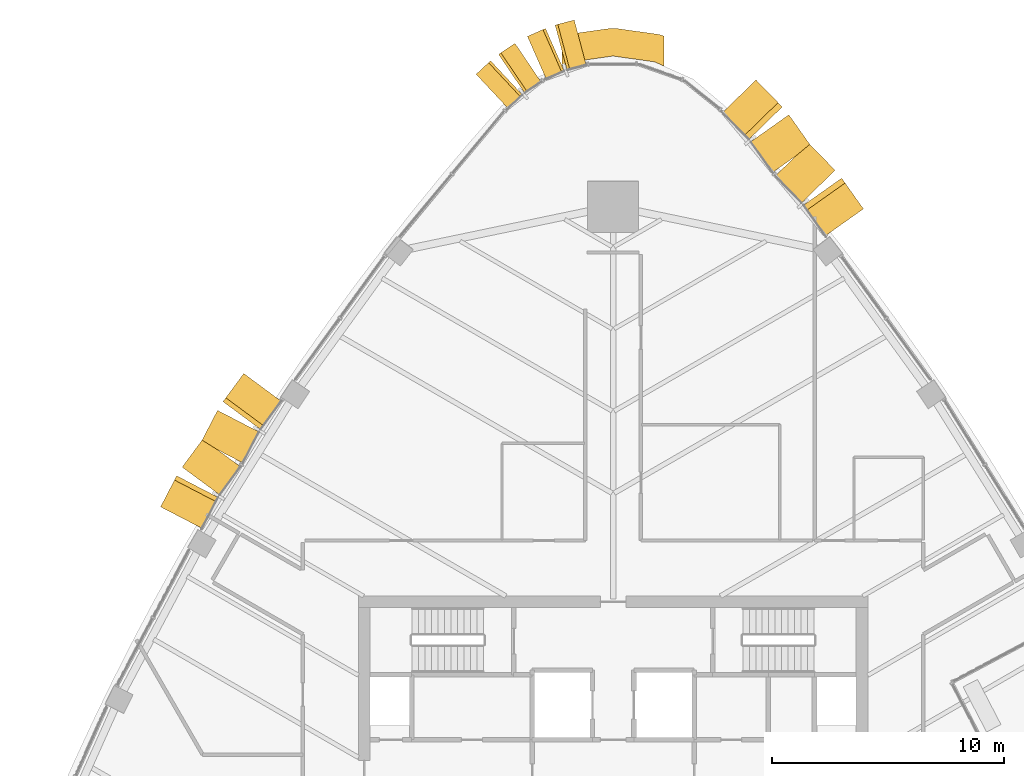
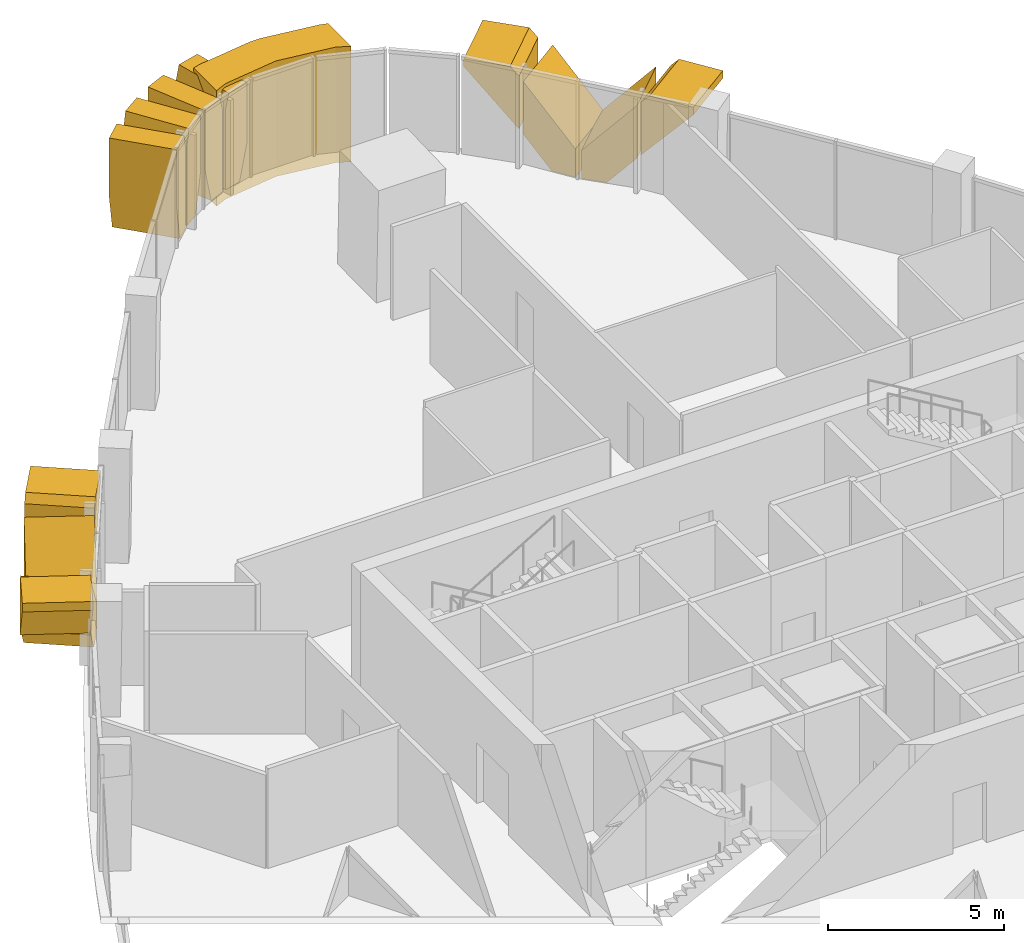
# One storey, part 20 of 21: 13 coverings.
"""IFC4 building model written with IfcOpenShell, lengths in metres."""

from ifc_helpers import new_model, si_unit, direction, frame, origin, place, context, subcontext, project, spatial, polyline, outline, extrude, material, layer, layer_set, type_object, element, save


model = new_model("IFC4")

# Units and contexts
model_context = context("Model", 3, precision=1e-05, world=origin(), true_north=direction((0.0, 1.0)))
body_context = subcontext(model_context, "Body", "Model", "MODEL_VIEW")
ifc_project = project(units=[si_unit("LENGTHUNIT", "METRE"), si_unit("AREAUNIT", "SQUARE_METRE"), si_unit("VOLUMEUNIT", "CUBIC_METRE"), si_unit("PLANEANGLEUNIT", "RADIAN"), si_unit("MASSUNIT", "GRAM", prefix="KILO")], contexts=[model_context])

# Site, building, storey
site_placement = place(None, origin())
site = spatial("IfcSite", under=ifc_project, at=site_placement, CompositionType="ELEMENT")
building_placement = place(site_placement, origin())
building = spatial("IfcBuilding", under=site, at=building_placement, Name="Sierra Prisma Convention Tower", CompositionType="ELEMENT")
storey_placement = place(building_placement, frame((0.0, 0.0, 259.0)))
storey = spatial("IfcBuildingStorey", under=building, at=storey_placement, Name="L58", CompositionType="ELEMENT", Elevation=259.0)

# Coverings
ifc_material_1 = material(Name="Aluminium composite bronze anodised", Category="aluminium")
ifc_layer_1 = layer(ifc_material_1, 1.199951171875)
ifc_layer_set_1 = layer_set([ifc_layer_1], Name="Bronze corner pier")
covering_type_1 = type_object("IfcCoveringType", Name="Bronze corner pier", PredefinedType="CLADDING", material=ifc_layer_set_1)
covering_1_placement = place(storey_placement, frame((0.0, 0.0, -0.60009765625)))
element("IfcCovering", 1, at=covering_1_placement, inside=storey, type_object=covering_type_1, Name="Corner pier N L58.1", PredefinedType="CLADDING", context=body_context, shape_type="SweptSolid", body=[
    extrude(outline(polyline([(-0.167724609375, 32.513671875), (0.167724609375, 32.513671875), (1.9638671875, 32.260009765625), (2.199951171875, 32.19189453125), (2.199951171875, 30.89111328125), (1.796142578125, 31.07177734375), (0.0, 31.325439453125), (-1.796142578125, 31.07177734375), (-2.199951171875, 30.89111328125), (-2.199951171875, 32.19189453125), (-1.9638671875, 32.260009765625), (-0.167724609375, 32.513671875)])), origin(), (0.0, 0.0, 1.0), 4.0),
])
ifc_material_2 = material(Name="Aluminium 6063-T6 bronze anodised", Category="aluminium")
ifc_layer_2 = layer(ifc_material_2, 2.0)
ifc_layer_set_2 = layer_set([ifc_layer_2], Name="Bronze crystal chevron frame")
covering_type_2 = type_object("IfcCoveringType", Name="Bronze crystal chevron frame", PredefinedType="CLADDING", material=ifc_layer_set_2)
covering_2_placement = place(storey_placement, frame((10.810791015625, 24.7236328125, 3.280029296875), z_axis=(0.816072220713, 0.577949936812, -3.3461044e-05), x_axis=(-2.7306628e-05, -1.9338808e-05, -0.99999999944)))
element("IfcCovering", 2, at=covering_2_placement, inside=storey, type_object=covering_type_2, Name="CW-2 chevron frame NE6.1.1", PredefinedType="CLADDING", context=body_context, shape_type="SweptSolid", body=[
    extrude(outline(polyline([(0.0, 0.0), (0.25903320297998783, 0.0), (2.1164550772709183, 1.6271679611300511), (0.29541015641537677, 1.6271679611300511), (-2.328941665173933e-09, 1.3683335415070115), (0.0, 0.0)])), origin(), (0.0, 0.0, -1.0), 2.0),
])
covering_3_placement = place(storey_placement, frame((9.586669921875, 26.39208984375, 2.83642578125), z_axis=(0.715613481503, 0.698496488769, -1.6378564e-05), x_axis=(-1.1720721e-05, -1.144037e-05, -0.999999999866)))
element("IfcCovering", 3, at=covering_3_placement, inside=storey, type_object=covering_type_2, Name="CW-2 chevron frame NE6.1.2", PredefinedType="CLADDING", context=body_context, shape_type="SweptSolid", body=[
    extrude(outline(polyline([(0.0, 0.0), (1.8210449216307456, 3.0849700945165167e-21), (2.836425781893071, 0.8894721461632318), (2.836425781141937, 1.6273622947687385), (1.8574218750232498, 1.6273622947687385), (0.0, 0.0)])), origin(), (0.0, 0.0, -1.0), 2.0),
])
covering_4_placement = place(storey_placement, frame((8.529541015625, 27.461181640625, 0.0), z_axis=(0.816020333939, 0.578023195533, 4.854297e-06), x_axis=(-0.57802319554, 0.816020333948, -8.9e-11)))
element("IfcCovering", 4, at=covering_4_placement, inside=storey, type_object=covering_type_2, Name="CW-2 chevron frame NE6.2.1", PredefinedType="CLADDING", context=body_context, shape_type="SweptSolid", body=[
    extrude(outline(polyline([(0.0, 0.0), (0.737480132469813, 2.117582368135751e-22), (1.626968731655504, 1.0153808595325253), (1.6269687314925787, 2.83642578138607), (-8.758957126287112e-11, 0.9790039062384654), (0.0, 0.0)])), origin(), (0.0, 0.0, -1.0), 2.0),
])
covering_5_placement = place(storey_placement, frame((6.168701171875, 30.2939453125, 3.280029296875), z_axis=(0.715609273287, 0.698500800218, 8.967694e-06), x_axis=(0.698500800246, -0.715609273316, 1.22e-10)))
element("IfcCovering", 5, at=covering_5_placement, inside=storey, type_object=covering_type_2, Name="CW-2 chevron frame NE6.2.2", PredefinedType="CLADDING", context=body_context, shape_type="SweptSolid", body=[
    extrude(outline(polyline([(0.0, 0.0), (1.3683934150959787, -8.470329472543003e-22), (1.627017053086108, 0.2954101564607727), (1.6270170528634949, 2.116455078262549), (-3.1665453459251747e-11, 0.25903320311458433), (0.0, 0.0)])), origin(), (0.0, 0.0, -1.0), 2.0),
])
covering_6_placement = place(storey_placement, frame((-1.6796875, 32.882568359375, 3.280029296875), z_axis=(-0.255363050503, 0.966845236847, -2.0566079e-05), x_axis=(5.251817e-06, -1.9884215e-05, -0.999999999789)))
element("IfcCovering", 6, at=covering_6_placement, inside=storey, type_object=covering_type_2, Name="CW-2 chevron frame N4.1.1", PredefinedType="CLADDING", context=body_context, shape_type="SweptSolid", body=[
    extrude(outline(polyline([(0.0, 0.0), (2.052001952691039, 1.7381132621270494e-21), (3.280029297276419, 0.2999990574933414), (3.2800292965073465, 0.8527393082572257), (0.4875488283479054, 0.8527393082572257), (-1.3022759038864197e-09, 0.7335324397981949), (0.0, 0.0)])), origin(), (0.0, 0.0, -1.0), 2.0),
])
covering_7_placement = place(storey_placement, frame((-2.922607421875, 32.518310546875, 0.0), z_axis=(-0.403286047, 0.915073966547, 6.607742e-06), x_axis=(-0.915073966567, -0.403286047009, -4.27e-10)))
element("IfcCovering", 7, at=covering_7_placement, inside=storey, type_object=covering_type_2, Name="CW-2 chevron frame N4.1.2", PredefinedType="CLADDING", context=body_context, shape_type="SweptSolid", body=[
    extrude(outline(polyline([(0.0, 0.0), (0.5527913622180483, 0.0), (0.8529593528328854, 1.2280273441414158), (0.8529593519576356, 3.280029297221618), (0.11925913295545232, 3.2800292968554037), (-1.191089433529232e-09, 2.7924804686890368), (0.0, 0.0)])), origin(), (0.0, 0.0, -1.0), 2.0),
])
covering_8_placement = place(storey_placement, frame((-4.242431640625, 31.8759765625, 3.280029296875), z_axis=(-0.560517432825, 0.828142625089, 3.171743e-06), x_axis=(-1.777817e-06, 2.626655e-06, -0.999999999995)))
element("IfcCovering", 8, at=covering_8_placement, inside=storey, type_object=covering_type_2, Name="CW-2 chevron frame N5.1.1", PredefinedType="CLADDING", context=body_context, shape_type="SweptSolid", body=[
    extrude(outline(polyline([(0.0, 0.0), (2.0520019531146785, 0.0), (3.280029297305299, 0.3003109976045529), (3.2800292969155507, 0.8528588251638779), (0.4875488281795966, 0.8528588251638779), (4.148274399170715e-10, 0.7336812379733407), (0.0, 0.0)])), origin(), (0.0, 0.0, -1.0), 2.0),
])
covering_9_placement = place(storey_placement, frame((-5.29541015625, 31.12158203125, 0.0), z_axis=(-0.683100100145, 0.730324758696, 4.185317e-06), x_axis=(-0.730324758703, -0.683100100151, -6.5e-11)))
element("IfcCovering", 9, at=covering_9_placement, inside=storey, type_object=covering_type_2, Name="CW-2 chevron frame N5.1.2", PredefinedType="CLADDING", context=body_context, shape_type="SweptSolid", body=[
    extrude(outline(polyline([(0.0, 0.0), (0.552908448688315, 0.0), (0.8531124811870224, 1.2280273438087268), (0.8531124810536732, 3.2800292969157545), (0.11935580357278129, 3.280029296917108), (-1.8146914210194123e-10, 2.792480468725542), (0.0, 0.0)])), origin(), (0.0, 0.0, -1.0), 2.0),
])
covering_10_placement = place(storey_placement, frame((-15.95458984375, 17.61279296875, 3.280029296875), z_axis=(-0.804290389654, 0.59423645497, 6.8513811e-05), x_axis=(-5.5105e-05, 4.0713404e-05, -0.999999997653)))
element("IfcCovering", 10, at=covering_10_placement, inside=storey, type_object=covering_type_2, Name="CW-2 chevron frame NW3.1.1", PredefinedType="CLADDING", context=body_context, shape_type="SweptSolid", body=[
    extrude(outline(polyline([(0.0, 0.0), (0.301025389918472, -2.0398273905557662e-21), (2.1481933555203256, 1.5110740370133047), (0.25292968809364397, 1.5110740370133047), (-1.0309693389004158e-08, 1.304233966054307), (0.0, 0.0)])), origin(), (0.0, 0.0, -1.0), 2.0),
])
covering_11_placement = place(storey_placement, frame((-17.08740234375, 16.021240234375, 2.8681640625), z_axis=(-0.887370574119, 0.461056899017, -7.510104e-06), x_axis=(6.664245e-06, -3.462585e-06, -0.999999999972)))
element("IfcCovering", 11, at=covering_11_placement, inside=storey, type_object=covering_type_2, Name="CW-2 chevron frame NW3.1.2", PredefinedType="CLADDING", context=body_context, shape_type="SweptSolid", body=[
    extrude(outline(polyline([(0.0, 0.0), (1.895263671821552, 0.0), (2.8681640626384706, 0.795930564023679), (2.8681640624739884, 1.5112751351575182), (1.8471679687527816, 1.5112751351575182), (0.0, 0.0)])), origin(), (0.0, 0.0, -1.0), 2.0),
])
covering_12_placement = place(storey_placement, frame((-17.718505859375, 14.78564453125, 0.0), z_axis=(-0.80427763233, 0.594253725181, 1.5536321e-05), x_axis=(-0.594253725253, -0.804277632427, -9.84e-10)))
element("IfcCovering", 12, at=covering_12_placement, inside=storey, type_object=covering_type_2, Name="CW-2 chevron frame NW3.2.1", PredefinedType="CLADDING", context=body_context, shape_type="SweptSolid", body=[
    extrude(outline(polyline([(0.0, 0.0), (0.715203573648509, -1.6940658945086007e-21), (1.5110740360795223, 0.97290039222965), (1.5110740342141626, 2.868164063875913), (-1.00488649469182e-09, 1.0209960936267775), (0.0, 0.0)])), origin(), (0.0, 0.0, -1.0), 2.0),
])
covering_13_placement = place(storey_placement, frame((-19.548095703125, 11.85302734375, 3.280029296875), z_axis=(-0.887374762804, 0.46104883656, -2.5399438e-05), x_axis=(0.461048836709, 0.88737476309, 1.086e-09)))
element("IfcCovering", 13, at=covering_13_placement, inside=storey, type_object=covering_type_2, Name="CW-2 chevron frame NW3.2.2", PredefinedType="CLADDING", context=body_context, shape_type="SweptSolid", body=[
    extrude(outline(polyline([(0.0, 0.0), (1.30434742105093, 1.6940658945086007e-21), (1.5112751348867721, 0.2529296892232644), (1.5112751328279725, 2.1481933604869172), (-3.2699985652317357e-10, 0.3010253905278995), (0.0, 0.0)])), origin(), (0.0, 0.0, -1.0), 2.0),
])

save(model, "model.ifc")
